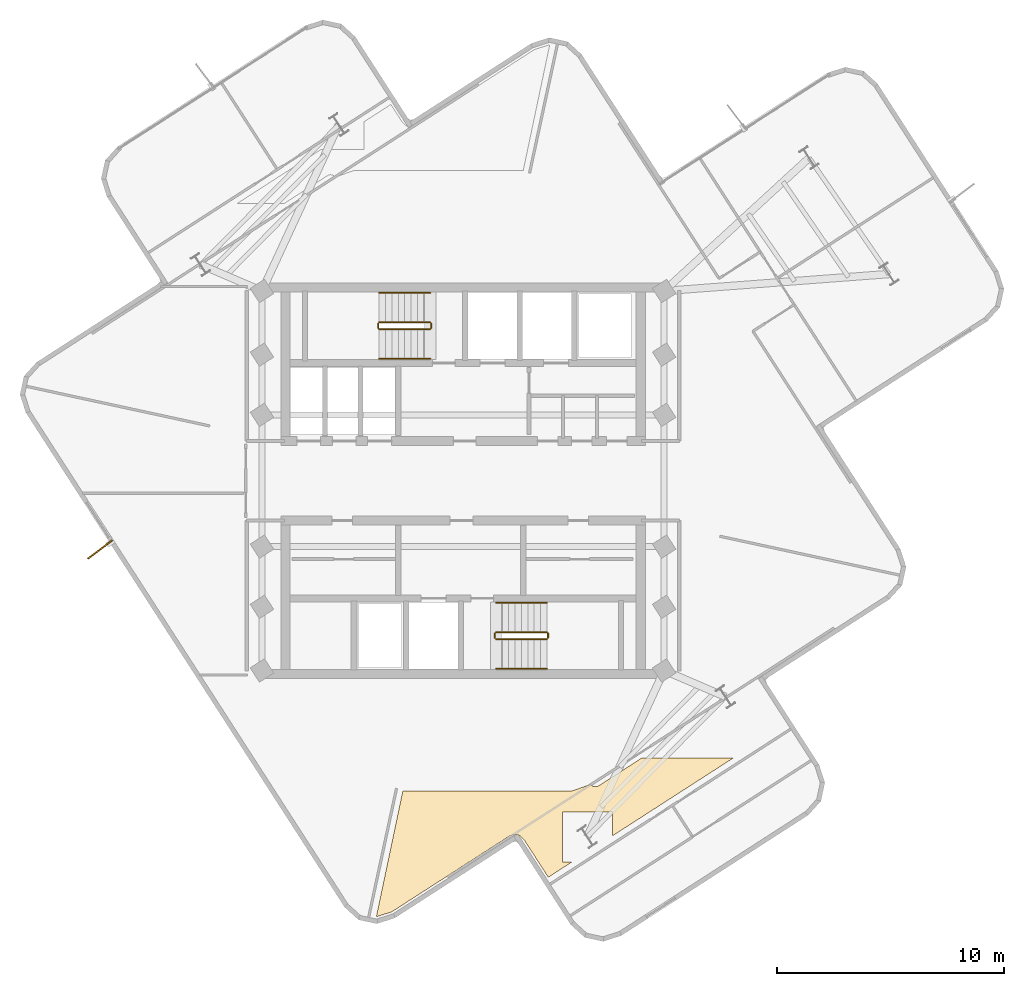
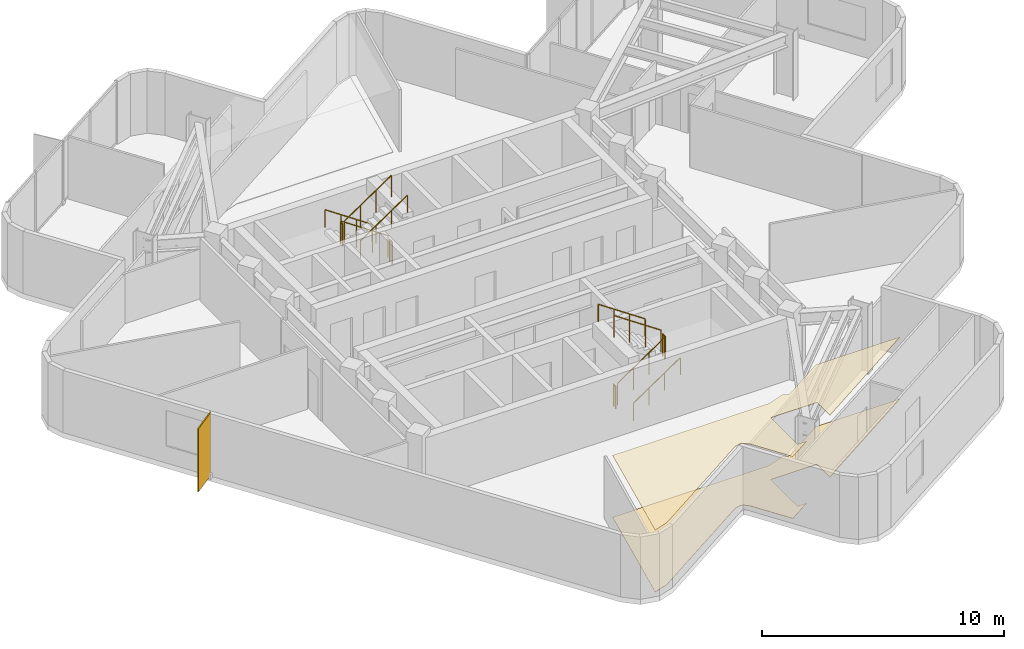
# One storey, part 7 of 8: 12 railings, 2 coverings, 1 shading device.
"""IFC4 building model written with IfcOpenShell, lengths in metres."""

from ifc_helpers import new_model, si_unit, direction, frame, origin, origin_2d, place, context, subcontext, project, spatial, polyline, rectangle, circle, outline, extrude, material, layer, layer_set, type_object, element, save


model = new_model("IFC4")

# Units and contexts
model_context = context("Model", 3, precision=1e-05, world=origin(), true_north=direction((0.0, 1.0)))
body_context = subcontext(model_context, "Body", "Model", "MODEL_VIEW")
ifc_project = project(units=[si_unit("LENGTHUNIT", "METRE"), si_unit("AREAUNIT", "SQUARE_METRE"), si_unit("VOLUMEUNIT", "CUBIC_METRE"), si_unit("PLANEANGLEUNIT", "RADIAN"), si_unit("MASSUNIT", "GRAM", prefix="KILO")], contexts=[model_context])

# Site, building, storey
site_placement = place(None, origin())
site = spatial("IfcSite", under=ifc_project, at=site_placement, CompositionType="ELEMENT")
building_placement = place(site_placement, origin())
building = spatial("IfcBuilding", under=site, at=building_placement, Name="Solmarez Civic Tower", CompositionType="ELEMENT")
storey_placement = place(building_placement, frame((0.0, 0.0, 218.8798828125)))
storey = spatial("IfcBuildingStorey", under=building, at=storey_placement, Name="L58", CompositionType="ELEMENT", Elevation=218.8798828125)

# Coverings
ifc_material_1 = material(Name="Perforated Mineral-Fibre Acoustic Ceiling")
ifc_layer_1 = layer(ifc_material_1, 0.02490234375)
ifc_layer_set_1 = layer_set([ifc_layer_1], Name="Perforated Mineral-Fibre Acoustic Ceiling")
covering_type_1 = type_object("IfcCoveringType", Name="COV-CEIL-ACOUSTIC", PredefinedType="CEILING", material=ifc_layer_set_1)
covering_1_placement = place(storey_placement, frame((0.0, 0.0, 3.115234375)))
element("IfcCovering", 1, at=covering_1_placement, inside=storey, type_object=covering_type_1, Name="L58 Suspended Acoustic Ceiling 1", PredefinedType="CEILING", context=body_context, shape_type="SweptSolid", body=[
    extrude(outline(polyline([(2.47802734375, -15.612060546875), (2.493896484375, -15.6220703125), (2.510009765625, -15.634033203125), (2.51611328125, -15.638916015625), (2.52294921875, -15.64501953125), (2.64990234375, -15.760009765625), (2.657958984375, -15.76708984375), (2.6630859375, -15.77197265625), (2.677001953125, -15.7890625), (2.69091796875, -15.80810546875), (2.699951171875, -15.820068359375), (3.7509765625, -17.449951171875), (4.803955078125, -16.77099609375), (4.367919921875, -16.77099609375), (4.367919921875, -14.571044921875), (6.568115234375, -14.571044921875), (6.568115234375, -15.634033203125), (11.89794921875, -12.199951171875), (7.873046875, -12.199951171875), (5.969970703125, -13.426025390625), (5.9560546875, -13.43505859375), (5.93994140625, -13.44189453125), (5.930908203125, -13.446044921875), (5.908935546875, -13.455078125), (5.885009765625, -13.4609375), (5.8798828125, -13.4619140625), (5.875, -13.462890625), (5.85400390625, -13.466064453125), (5.83203125, -13.467041015625), (5.822021484375, -13.467041015625), (5.798095703125, -13.466064453125), (5.77392578125, -13.4619140625), (5.764892578125, -13.4599609375), (5.743896484375, -13.4541015625), (5.72412109375, -13.446044921875), (5.715087890625, -13.44189453125), (5.693115234375, -13.430908203125), (5.672119140625, -13.4169921875), (5.659912109375, -13.407958984375), (5.64404296875, -13.39501953125), (5.62890625, -13.3798828125), (5.615966796875, -13.364013671875), (5.610107421875, -13.35693359375), (5.552978515625, -13.384033203125), (5.532958984375, -13.39208984375), (4.85107421875, -13.635986328125), (4.844970703125, -13.637939453125), (4.818115234375, -13.64501953125), (4.81298828125, -13.64599609375), (4.7919921875, -13.64892578125), (4.77001953125, -13.64990234375), (-2.64794921875, -13.64990234375), (-3.81396484375, -19.18701171875), (-3.806884765625, -19.18896484375), (-3.133056640625, -18.970947265625), (1.9951171875, -15.6669921875), (2.01611328125, -15.655029296875), (2.02197265625, -15.652099609375), (2.028076171875, -15.64892578125), (2.0390625, -15.64404296875), (2.0458984375, -15.64111328125), (2.06591796875, -15.633056640625), (2.22900390625, -15.5810546875), (2.242919921875, -15.577880859375), (2.2509765625, -15.575927734375), (2.27294921875, -15.571044921875), (2.283935546875, -15.570068359375), (2.2919921875, -15.569091796875), (2.319091796875, -15.56689453125), (2.325927734375, -15.56689453125), (2.35302734375, -15.569091796875), (2.361083984375, -15.570068359375), (2.3779296875, -15.572021484375), (2.39404296875, -15.575927734375), (2.402099609375, -15.5791015625), (2.4189453125, -15.583984375), (2.43603515625, -15.590087890625), (2.443115234375, -15.593017578125), (2.4609375, -15.60205078125), (2.47802734375, -15.612060546875)])), origin(), (0.0, 0.0, 1.0), 0.02490234375),
])
ifc_material_2 = material(Name="Polished Tropical Stone Terrazzo Flooring", Category="masonry")
ifc_layer_2 = layer(ifc_material_2, 0.02001953125)
ifc_layer_set_2 = layer_set([ifc_layer_2], Name="Polished Tropical Stone Terrazzo Flooring")
covering_type_2 = type_object("IfcCoveringType", Name="COV-FLOOR-TERRAZZO", PredefinedType="FLOORING", material=ifc_layer_set_2)
covering_2_placement = place(storey_placement, origin())
element("IfcCovering", 2, at=covering_2_placement, inside=storey, type_object=covering_type_2, Name="L58 Terrazzo Floor Finish 1", PredefinedType="FLOORING", context=body_context, shape_type="SweptSolid", body=[
    extrude(outline(polyline([(2.47802734375, -15.612060546875), (2.493896484375, -15.6220703125), (2.510009765625, -15.634033203125), (2.51611328125, -15.638916015625), (2.52294921875, -15.64501953125), (2.64990234375, -15.760009765625), (2.657958984375, -15.76708984375), (2.6630859375, -15.77197265625), (2.677001953125, -15.7890625), (2.69091796875, -15.80810546875), (2.699951171875, -15.820068359375), (3.7509765625, -17.449951171875), (4.803955078125, -16.77099609375), (4.367919921875, -16.77099609375), (4.367919921875, -14.571044921875), (6.568115234375, -14.571044921875), (6.568115234375, -15.634033203125), (11.89794921875, -12.199951171875), (7.873046875, -12.199951171875), (5.969970703125, -13.426025390625), (5.9560546875, -13.43505859375), (5.93994140625, -13.44189453125), (5.930908203125, -13.446044921875), (5.908935546875, -13.455078125), (5.885009765625, -13.4609375), (5.8798828125, -13.4619140625), (5.875, -13.462890625), (5.85400390625, -13.466064453125), (5.83203125, -13.467041015625), (5.822021484375, -13.467041015625), (5.798095703125, -13.466064453125), (5.77392578125, -13.4619140625), (5.764892578125, -13.4599609375), (5.743896484375, -13.4541015625), (5.72412109375, -13.446044921875), (5.715087890625, -13.44189453125), (5.693115234375, -13.430908203125), (5.672119140625, -13.4169921875), (5.659912109375, -13.407958984375), (5.64404296875, -13.39501953125), (5.62890625, -13.3798828125), (5.615966796875, -13.364013671875), (5.610107421875, -13.35693359375), (5.552978515625, -13.384033203125), (5.532958984375, -13.39208984375), (4.85107421875, -13.635986328125), (4.844970703125, -13.637939453125), (4.818115234375, -13.64501953125), (4.81298828125, -13.64599609375), (4.7919921875, -13.64892578125), (4.77001953125, -13.64990234375), (-2.64794921875, -13.64990234375), (-3.81396484375, -19.18701171875), (-3.806884765625, -19.18896484375), (-3.133056640625, -18.970947265625), (1.9951171875, -15.6669921875), (2.01611328125, -15.655029296875), (2.02197265625, -15.652099609375), (2.028076171875, -15.64892578125), (2.0390625, -15.64404296875), (2.0458984375, -15.64111328125), (2.06591796875, -15.633056640625), (2.22900390625, -15.5810546875), (2.242919921875, -15.577880859375), (2.2509765625, -15.575927734375), (2.27294921875, -15.571044921875), (2.283935546875, -15.570068359375), (2.2919921875, -15.569091796875), (2.319091796875, -15.56689453125), (2.325927734375, -15.56689453125), (2.35302734375, -15.569091796875), (2.361083984375, -15.570068359375), (2.3779296875, -15.572021484375), (2.39404296875, -15.575927734375), (2.402099609375, -15.5791015625), (2.4189453125, -15.583984375), (2.43603515625, -15.590087890625), (2.443115234375, -15.593017578125), (2.4609375, -15.60205078125), (2.47802734375, -15.612060546875)])), origin(), (0.0, 0.0, 1.0), 0.02001953125),
])

# Shading device
ifc_material_3 = material(Name="Bronze Anodised Aluminium EN AW-6063 T6", Category="aluminium")
ifc_layer_3 = layer(ifc_material_3, 0.054931640625)
ifc_layer_set_3 = layer_set([ifc_layer_3], Name="Bronze Anodised Aluminium EN AW-6063 T6")
shading_device_type = type_object("IfcShadingDeviceType", Name="FIN-BRONZE-Z56", PredefinedType="USERDEFINED", material=ifc_layer_set_3)
shading_device_placement = place(storey_placement, frame((-15.97998046875, -3.031005859375, -0.0400390625), z_axis=(0.0, 0.0, 1.0), x_axis=(-0.797615511628, -0.603166225522, 0.0)))
element("IfcShadingDevice", 3, at=shading_device_placement, inside=storey, type_object=shading_device_type, Name="L58 Anodised Bronze Solar Fin FIN-L58-01", ObjectType="FIN", PredefinedType="USERDEFINED", context=body_context, shape_type="SweptSolid", body=[
    extrude(rectangle(XDim=1.35009765625, YDim=0.054931640625, at=origin_2d()), origin(), (0.0, 0.0, 1.0), 3.179931640625),
])

# Railings
ifc_material_4 = material(Name="Painted Steel Stairwell Safety Guard", Category="steel")
railing_type_1 = type_object("IfcRailingType", Name="GUARD-STAIR-1120", PredefinedType="BALUSTRADE", material=ifc_material_4)
railing_1_placement = place(storey_placement, frame((-1.449951171875, 6.969970703125, 0.190185546875)))
element("IfcRailing", 4, at=railing_1_placement, inside=storey, type_object=railing_type_1, Name="L58 ST-1 stair guard 1", PredefinedType="BALUSTRADE", context=body_context, shape_type="SweptSolid", body=[
    extrude(circle(Radius=0.02392578125, at=origin_2d()), frame((0.0, 0.0, 1.09619140625), z_axis=(-0.827471284677, 0.0, 0.561508034703), x_axis=(0.0, -1.0, 0.0)), (0.0, 0.0, 1.0), 2.70703125),
    extrude(circle(Radius=0.02099609375, at=origin_2d()), origin(), (0.0, 0.0, 1.0), 1.072021484375),
    extrude(circle(Radius=0.02099609375, at=origin_2d()), frame((-0.74658203125, 0.0, 0.506591796875)), (0.0, 0.0, 1.0), 1.072021484375),
    extrude(circle(Radius=0.02099609375, at=origin_2d()), frame((-1.493408203125, 0.0, 1.013427734375)), (0.0, 0.0, 1.0), 1.072021484375),
    extrude(circle(Radius=0.02099609375, at=origin_2d()), frame((-2.239990234375, 0.0, 1.52001953125)), (0.0, 0.0, 1.0), 1.072021484375),
])
railing_2_placement = place(storey_placement, frame((-3.739990234375, 6.919921875, 1.710205078125)))
element("IfcRailing", 5, at=railing_2_placement, inside=storey, type_object=railing_type_1, Name="L58 ST-1 stair guard 2", PredefinedType="BALUSTRADE", context=body_context, shape_type="SweptSolid", body=[
    extrude(circle(Radius=0.02392578125, at=origin_2d()), frame((0.0, 0.0, 1.09619140625), z_axis=(0.0, -1.0, 0.0), x_axis=(1.0, 0.0, 0.0)), (0.0, 0.0, 1.0), 0.199951171875),
    extrude(circle(Radius=0.02099609375, at=origin_2d()), origin(), (0.0, 0.0, 1.0), 1.072021484375),
    extrude(circle(Radius=0.02099609375, at=origin_2d()), frame((0.0, -0.199951171875, 0.0)), (0.0, 0.0, 1.0), 1.072021484375),
])
railing_3_placement = place(storey_placement, frame((-3.68994140625, 6.669921875, 1.900146484375)))
element("IfcRailing", 6, at=railing_3_placement, inside=storey, type_object=railing_type_1, Name="L58 ST-1 stair guard 3", PredefinedType="BALUSTRADE", context=body_context, shape_type="SweptSolid", body=[
    extrude(circle(Radius=0.02392578125, at=origin_2d()), frame((0.0, 0.0, 1.09619140625), z_axis=(0.827471284677, 0.0, 0.561508034703), x_axis=(0.0, 1.0, 0.0)), (0.0, 0.0, 1.0), 2.70703125),
    extrude(circle(Radius=0.02099609375, at=origin_2d()), origin(), (0.0, 0.0, 1.0), 1.072021484375),
    extrude(circle(Radius=0.02099609375, at=origin_2d()), frame((0.74658203125, 0.0, 0.506591796875)), (0.0, 0.0, 1.0), 1.072021484375),
    extrude(circle(Radius=0.02099609375, at=origin_2d()), frame((1.493408203125, 0.0, 1.013427734375)), (0.0, 0.0, 1.0), 1.072021484375),
    extrude(circle(Radius=0.02099609375, at=origin_2d()), frame((2.239990234375, 0.0, 1.52001953125)), (0.0, 0.0, 1.0), 1.072021484375),
])
railing_4_placement = place(storey_placement, frame((-1.39990234375, 6.919921875, 0.0)))
element("IfcRailing", 7, at=railing_4_placement, inside=storey, type_object=railing_type_1, Name="L58 ST-1 stair guard 4", PredefinedType="BALUSTRADE", context=body_context, shape_type="SweptSolid", body=[
    extrude(circle(Radius=0.02392578125, at=origin_2d()), frame((0.0, 0.0, 1.09619140625), z_axis=(0.0, -1.0, 0.0), x_axis=(1.0, 0.0, 0.0)), (0.0, 0.0, 1.0), 0.199951171875),
    extrude(circle(Radius=0.02099609375, at=origin_2d()), origin(), (0.0, 0.0, 1.0), 1.072021484375),
    extrude(circle(Radius=0.02099609375, at=origin_2d()), frame((0.0, -0.199951171875, 0.0)), (0.0, 0.0, 1.0), 1.072021484375),
])
railing_5_placement = place(storey_placement, frame((1.449951171875, -6.969970703125, 0.190185546875)))
element("IfcRailing", 8, at=railing_5_placement, inside=storey, type_object=railing_type_1, Name="L58 ST-2 stair guard 1", PredefinedType="BALUSTRADE", context=body_context, shape_type="SweptSolid", body=[
    extrude(circle(Radius=0.02392578125, at=origin_2d()), frame((0.0, 0.0, 1.09619140625), z_axis=(0.827471284677, 0.0, 0.561508034703), x_axis=(0.0, 1.0, 0.0)), (0.0, 0.0, 1.0), 2.70703125),
    extrude(circle(Radius=0.02099609375, at=origin_2d()), origin(), (0.0, 0.0, 1.0), 1.072021484375),
    extrude(circle(Radius=0.02099609375, at=origin_2d()), frame((0.74658203125, 0.0, 0.506591796875)), (0.0, 0.0, 1.0), 1.072021484375),
    extrude(circle(Radius=0.02099609375, at=origin_2d()), frame((1.493408203125, 0.0, 1.013427734375)), (0.0, 0.0, 1.0), 1.072021484375),
    extrude(circle(Radius=0.02099609375, at=origin_2d()), frame((2.239990234375, 0.0, 1.52001953125)), (0.0, 0.0, 1.0), 1.072021484375),
])
railing_6_placement = place(storey_placement, frame((3.739990234375, -6.919921875, 1.710205078125)))
element("IfcRailing", 9, at=railing_6_placement, inside=storey, type_object=railing_type_1, Name="L58 ST-2 stair guard 2", PredefinedType="BALUSTRADE", context=body_context, shape_type="SweptSolid", body=[
    extrude(circle(Radius=0.02392578125, at=origin_2d()), frame((0.0, 0.0, 1.09619140625), z_axis=(0.0, 1.0, 0.0), x_axis=(-1.0, 0.0, 0.0)), (0.0, 0.0, 1.0), 0.199951171875),
    extrude(circle(Radius=0.02099609375, at=origin_2d()), origin(), (0.0, 0.0, 1.0), 1.072021484375),
    extrude(circle(Radius=0.02099609375, at=origin_2d()), frame((0.0, 0.199951171875, 0.0)), (0.0, 0.0, 1.0), 1.072021484375),
])
railing_7_placement = place(storey_placement, frame((3.68994140625, -6.669921875, 1.900146484375)))
element("IfcRailing", 10, at=railing_7_placement, inside=storey, type_object=railing_type_1, Name="L58 ST-2 stair guard 3", PredefinedType="BALUSTRADE", context=body_context, shape_type="SweptSolid", body=[
    extrude(circle(Radius=0.02392578125, at=origin_2d()), frame((0.0, 0.0, 1.09619140625), z_axis=(-0.827471284677, 0.0, 0.561508034703), x_axis=(0.0, -1.0, 0.0)), (0.0, 0.0, 1.0), 2.70703125),
    extrude(circle(Radius=0.02099609375, at=origin_2d()), origin(), (0.0, 0.0, 1.0), 1.072021484375),
    extrude(circle(Radius=0.02099609375, at=origin_2d()), frame((-0.74658203125, 0.0, 0.506591796875)), (0.0, 0.0, 1.0), 1.072021484375),
    extrude(circle(Radius=0.02099609375, at=origin_2d()), frame((-1.493408203125, 0.0, 1.013427734375)), (0.0, 0.0, 1.0), 1.072021484375),
    extrude(circle(Radius=0.02099609375, at=origin_2d()), frame((-2.239990234375, 0.0, 1.52001953125)), (0.0, 0.0, 1.0), 1.072021484375),
])
railing_8_placement = place(storey_placement, frame((1.39990234375, -6.919921875, 0.0)))
element("IfcRailing", 11, at=railing_8_placement, inside=storey, type_object=railing_type_1, Name="L58 ST-2 stair guard 4", PredefinedType="BALUSTRADE", context=body_context, shape_type="SweptSolid", body=[
    extrude(circle(Radius=0.02392578125, at=origin_2d()), frame((0.0, 0.0, 1.09619140625), z_axis=(0.0, 1.0, 0.0), x_axis=(-1.0, 0.0, 0.0)), (0.0, 0.0, 1.0), 0.199951171875),
    extrude(circle(Radius=0.02099609375, at=origin_2d()), origin(), (0.0, 0.0, 1.0), 1.072021484375),
    extrude(circle(Radius=0.02099609375, at=origin_2d()), frame((0.0, 0.199951171875, 0.0)), (0.0, 0.0, 1.0), 1.072021484375),
])
ifc_material_5 = material(Name="Brushed Stainless Steel Tube Handrail", Category="steel")
railing_type_2 = type_object("IfcRailingType", Name="HANDRAIL-STAIR-900", PredefinedType="HANDRAIL", material=ifc_material_5)
railing_9_placement = place(storey_placement, frame((-1.449951171875, 8.27001953125, 0.190185546875)))
element("IfcRailing", 12, at=railing_9_placement, inside=storey, type_object=railing_type_2, Name="L58 ST-1 stair handrail 1", PredefinedType="HANDRAIL", context=body_context, shape_type="SweptSolid", body=[
    extrude(circle(Radius=0.02392578125, at=origin_2d()), frame((0.0, 0.0, 0.8759765625), z_axis=(-0.827471284677, 0.0, 0.561508034703), x_axis=(0.0, -1.0, 0.0)), (0.0, 0.0, 1.0), 2.70703125),
    extrude(circle(Radius=0.02099609375, at=origin_2d()), origin(), (0.0, 0.0, 1.0), 0.851806640625),
    extrude(circle(Radius=0.02099609375, at=origin_2d()), frame((-0.74658203125, 0.0, 0.506591796875)), (0.0, 0.0, 1.0), 0.851806640625),
    extrude(circle(Radius=0.02099609375, at=origin_2d()), frame((-1.493408203125, 0.0, 1.013427734375)), (0.0, 0.0, 1.0), 0.851806640625),
    extrude(circle(Radius=0.02099609375, at=origin_2d()), frame((-2.239990234375, 0.0, 1.52001953125)), (0.0, 0.0, 1.0), 0.851806640625),
])
for number, where, name in (
    (13, (-3.68994140625, 5.3701171875, 1.900146484375), "L58 ST-1 stair handrail 2"),
    (14, (1.449951171875, -8.27001953125, 0.190185546875), "L58 ST-2 stair handrail 1"),
):
    element("IfcRailing", number, at=place(storey_placement, frame(where)), inside=storey, type_object=railing_type_2, Name=name, PredefinedType="HANDRAIL", context=body_context, shape_type="SweptSolid", body=[
        extrude(circle(Radius=0.02392578125, at=origin_2d()), frame((0.0, 0.0, 0.8759765625), z_axis=(0.827471284677, 0.0, 0.561508034703), x_axis=(0.0, 1.0, 0.0)), (0.0, 0.0, 1.0), 2.70703125),
        extrude(circle(Radius=0.02099609375, at=origin_2d()), origin(), (0.0, 0.0, 1.0), 0.851806640625),
        extrude(circle(Radius=0.02099609375, at=origin_2d()), frame((0.74658203125, 0.0, 0.506591796875)), (0.0, 0.0, 1.0), 0.851806640625),
        extrude(circle(Radius=0.02099609375, at=origin_2d()), frame((1.493408203125, 0.0, 1.013427734375)), (0.0, 0.0, 1.0), 0.851806640625),
        extrude(circle(Radius=0.02099609375, at=origin_2d()), frame((2.239990234375, 0.0, 1.52001953125)), (0.0, 0.0, 1.0), 0.851806640625),
    ])
railing_10_placement = place(storey_placement, frame((3.68994140625, -5.3701171875, 1.900146484375)))
element("IfcRailing", 15, at=railing_10_placement, inside=storey, type_object=railing_type_2, Name="L58 ST-2 stair handrail 2", PredefinedType="HANDRAIL", context=body_context, shape_type="SweptSolid", body=[
    extrude(circle(Radius=0.02392578125, at=origin_2d()), frame((0.0, 0.0, 0.8759765625), z_axis=(-0.827471284677, 0.0, 0.561508034703), x_axis=(0.0, -1.0, 0.0)), (0.0, 0.0, 1.0), 2.70703125),
    extrude(circle(Radius=0.02099609375, at=origin_2d()), origin(), (0.0, 0.0, 1.0), 0.851806640625),
    extrude(circle(Radius=0.02099609375, at=origin_2d()), frame((-0.74658203125, 0.0, 0.506591796875)), (0.0, 0.0, 1.0), 0.851806640625),
    extrude(circle(Radius=0.02099609375, at=origin_2d()), frame((-1.493408203125, 0.0, 1.013427734375)), (0.0, 0.0, 1.0), 0.851806640625),
    extrude(circle(Radius=0.02099609375, at=origin_2d()), frame((-2.239990234375, 0.0, 1.52001953125)), (0.0, 0.0, 1.0), 0.851806640625),
])

save(model, "model.ifc")
